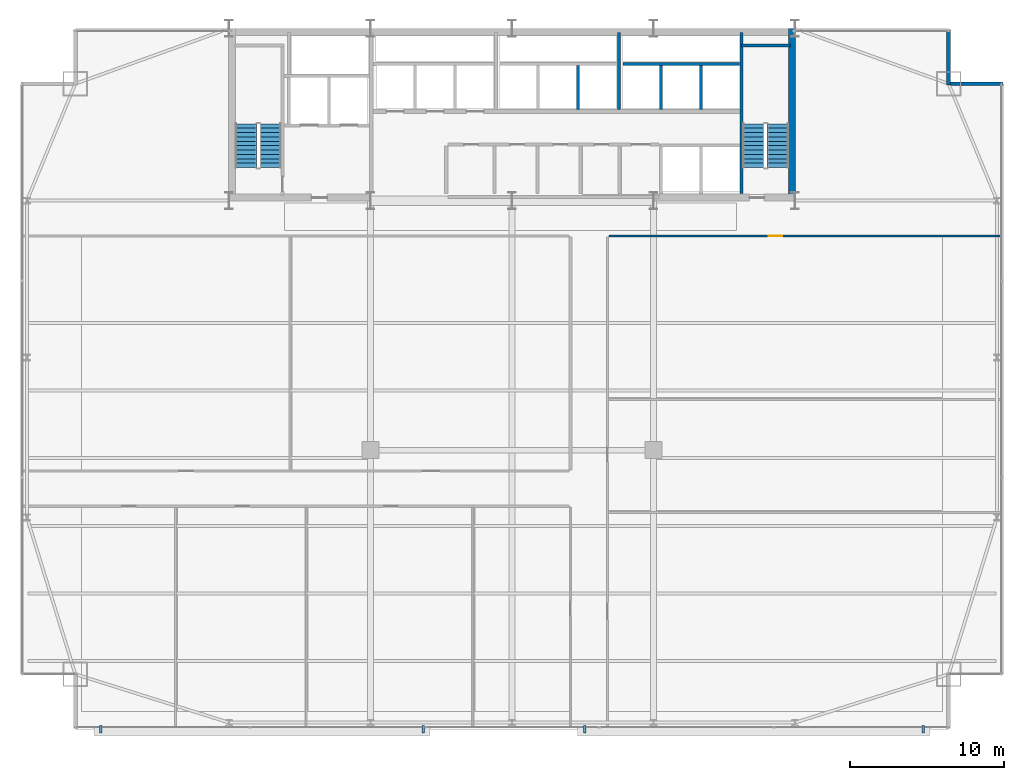
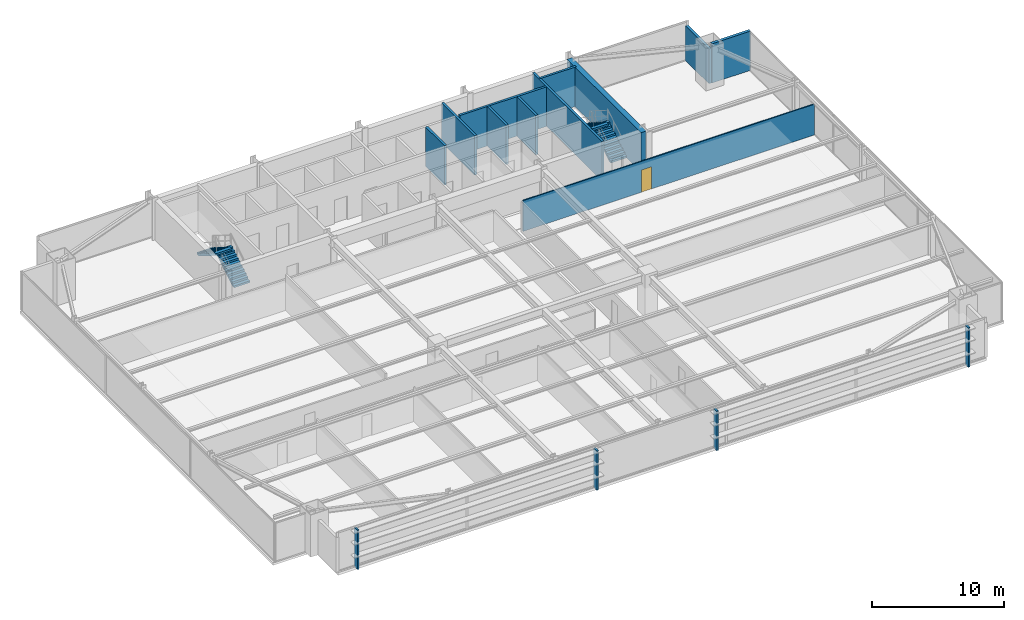
# One storey, part 28 of 30: 11 walls, 4 discrete accessories, 4 stair flights, 1 door, 1 opening, 2 elements without a shape of their own.
"""IFC4 building model written with IfcOpenShell, lengths in metres."""

from ifc_helpers import new_model, si_unit, direction, frame, frame_2d, origin, origin_2d, place, context, subcontext, project, spatial, polyline, rectangle, outline, extrude, source, transform, mapped, material, layer, layer_set, type_object, type_shapes, element, fill, aggregate, save


model = new_model("IFC4")

# Units and contexts
model_context = context("Model", 3, precision=1e-05, world=origin(), true_north=direction((0.0, 1.0)))
body_context = subcontext(model_context, "Body", "Model", "MODEL_VIEW")
ifc_project = project(units=[si_unit("LENGTHUNIT", "METRE"), si_unit("AREAUNIT", "SQUARE_METRE"), si_unit("VOLUMEUNIT", "CUBIC_METRE"), si_unit("PLANEANGLEUNIT", "RADIAN"), si_unit("MASSUNIT", "GRAM", prefix="KILO")], contexts=[model_context])

# Site, building, storey
site_placement = place(None, origin())
site = spatial("IfcSite", under=ifc_project, at=site_placement, CompositionType="ELEMENT")
building_placement = place(site_placement, origin())
building = spatial("IfcBuilding", under=site, at=building_placement, Name="Varnel Quay Broadcast Tower", CompositionType="ELEMENT")
storey_placement = place(building_placement, frame((0.0, 0.0, 62.699951171875)))
storey = spatial("IfcBuildingStorey", under=building, at=storey_placement, Name="L14", CompositionType="ELEMENT", Elevation=62.699951171875)

# Walls
ifc_material_1 = material(Name="Concrete CSA A23.3 C50/60", Category="concrete")
ifc_layer_1 = layer(ifc_material_1, 0.199951171875, Name="Concrete CSA A23.3 C50/60")
ifc_layer_set_1 = layer_set([ifc_layer_1], Name="Concrete CSA A23.3 C50/60")
wall_type_1 = type_object("IfcWallType", Name="Wall_CoreShaftShear200", PredefinedType="SHEAR", material=ifc_layer_set_1)
wall_1_placement = place(storey_placement, frame((48.919921875, 36.050048828125, 0.0), z_axis=(0.0, 0.0, 1.0), x_axis=(0.0, 1.0, 0.0)))
element("IfcWall", 1, at=wall_1_placement, inside=storey, type_object=wall_type_1, Name="L14 Stair 2 West Structural Wall", PredefinedType="SHEAR", context=body_context, shape_type="SweptSolid", body=[
    extrude(rectangle(XDim=10.5, YDim=0.199951171875, at=frame_2d((5.25, 0.0))), origin(), (0.0, 0.0, 1.0), 3.650146484375),
])
wall_2_placement = place(storey_placement, frame((48.919921875, 45.679931640625, 0.0), z_axis=(0.0, 0.0, 1.0), x_axis=(1.0, 0.0, 0.0)))
element("IfcWall", 2, at=wall_2_placement, inside=storey, type_object=wall_type_1, Name="L14 Stair 2 North Structural Wall", PredefinedType="SHEAR", context=body_context, shape_type="SweptSolid", body=[
    extrude(rectangle(XDim=3.18017578125, YDim=0.199951171875, at=frame_2d((1.590087890625, 0.0))), origin(), (0.0, 0.0, 1.0), 3.650146484375),
])
wall_3_placement = place(storey_placement, frame((38.300048828125, 41.530029296875, 0.0), z_axis=(0.0, 0.0, 1.0), x_axis=(0.0, 1.0, 0.0)))
element("IfcWall", 3, at=wall_3_placement, inside=storey, type_object=wall_type_1, Name="L14 Mid-Rise Lift Shaft Divider 3", PredefinedType="SHEAR", context=body_context, shape_type="SweptSolid", body=[
    extrude(rectangle(XDim=2.869873046875, YDim=0.199951171875, at=frame_2d((1.43505859375, 0.0))), origin(), (0.0, 0.0, 1.0), 3.650146484375),
])
wall_4_placement = place(storey_placement, frame((40.949951171875, 41.530029296875, 0.0), z_axis=(0.0, 0.0, 1.0), x_axis=(0.0, 1.0, 0.0)))
element("IfcWall", 4, at=wall_4_placement, inside=storey, type_object=wall_type_1, Name="L14 Mid-Rise Lift Shaft Divider 4", PredefinedType="SHEAR", context=body_context, shape_type="SweptSolid", body=[
    extrude(rectangle(XDim=5.02001953125, YDim=0.199951171875, at=frame_2d((2.510009765625, 0.0))), origin(), (0.0, 0.0, 1.0), 3.650146484375),
])
wall_5_placement = place(storey_placement, frame((41.219970703125, 44.5, 0.0), z_axis=(0.0, 0.0, 1.0), x_axis=(1.0, 0.0, 0.0)))
element("IfcWall", 5, at=wall_5_placement, inside=storey, type_object=wall_type_1, Name="L14 High-Rise Lift Shaft Rear Wall", PredefinedType="SHEAR", context=body_context, shape_type="SweptSolid", body=[
    extrude(rectangle(XDim=7.580078125, YDim=0.199951171875, at=frame_2d((3.7900390625, 0.0))), origin(), (0.0, 0.0, 1.0), 3.650146484375),
])
for number, where, z_axis, x_axis, name in (
    (6, (43.699951171875, 41.530029296875, 0.0), (0.0, 0.0, 1.0), (0.0, 1.0, 0.0), "L14 High-Rise Lift Shaft Divider 2"),
    (7, (46.300048828125, 41.530029296875, 0.0), (0.0, 0.0, 1.0), (0.0, 1.0, 0.0), "L14 High-Rise Lift Shaft Divider 3"),
):
    element("IfcWall", number, at=place(storey_placement, frame(where, z_axis=z_axis, x_axis=x_axis)), inside=storey, type_object=wall_type_1, Name=name, PredefinedType="SHEAR", context=body_context, shape_type="SweptSolid", body=[
        extrude(rectangle(XDim=2.869873046875, YDim=0.199951171875, at=frame_2d((1.43505859375, 0.0))), origin(), (0.0, 0.0, 1.0), 3.650146484375),
    ])
ifc_material_2 = material(Name="Concrete CSA A23.3 C60/75", Category="concrete")
ifc_layer_2 = layer(ifc_material_2, 0.449951171875, Name="Concrete CSA A23.3 C60/75")
ifc_layer_set_2 = layer_set([ifc_layer_2], Name="Concrete CSA A23.3 C60/75")
wall_type_2 = type_object("IfcWallType", Name="Wall_CoreShearInt450", PredefinedType="SHEAR", material=ifc_layer_set_2)
wall_6_placement = place(storey_placement, frame((52.205078125, 35.570068359375, 0.0), z_axis=(0.0, 0.0, 1.0), x_axis=(0.0, 1.0, 0.0)))
element("IfcWall", 8, at=wall_6_placement, inside=storey, type_object=wall_type_2, Name="L14 East Core Shear Wall", PredefinedType="SHEAR", context=body_context, shape_type="SweptSolid", body=[
    extrude(rectangle(XDim=11.22998046875, YDim=0.449951171875, at=frame_2d((5.614990234375, 0.0))), origin(), (0.0, 0.0, 1.0), 3.650146484375),
])
ifc_material_3 = material(Name="Precast Architectural Concrete C40/50", Category="concrete")
ifc_layer_3 = layer(ifc_material_3, 0.25, Name="Precast Architectural Concrete C40/50")
ifc_layer_set_3 = layer_set([ifc_layer_3], Name="Precast Architectural Concrete C40/50")
wall_type_3 = type_object("IfcWallType", Name="Wall_ExtTerrace250", PredefinedType="SOLIDWALL", material=ifc_layer_set_3)
wall_7_placement = place(storey_placement, frame((62.530029296875, 43.199951171875, 0.0), z_axis=(0.0, 0.0, 1.0), x_axis=(1.0, 0.0, 0.0)))
element("IfcWall", 9, at=wall_7_placement, inside=storey, type_object=wall_type_3, Name="L14 Mega-Column Notch Cladding Wall NNE1", PredefinedType="SOLIDWALL", context=body_context, shape_type="SweptSolid", body=[
    extrude(rectangle(XDim=3.389892578125, YDim=0.25, at=frame_2d((1.69482421875, 0.0))), origin(), (0.0, 0.0, 1.0), 3.630126953125),
])
wall_8_placement = place(storey_placement, frame((62.39990234375, 43.1201171875, 0.0), z_axis=(0.0, 0.0, 1.0), x_axis=(0.0, 1.0, 0.0)))
element("IfcWall", 10, at=wall_8_placement, inside=storey, type_object=wall_type_3, Name="L14 Mega-Column Notch Cladding Wall NNE2", PredefinedType="SOLIDWALL", context=body_context, shape_type="SweptSolid", body=[
    extrude(rectangle(XDim=3.599853515625, YDim=0.25, at=frame_2d((1.7998046875, 0.0))), origin(), (0.0, 0.0, 1.0), 3.2080078125),
])

# Wall, opening, door
ifc_material_4 = material(Name="Steel-Stud Fire-Rated Acoustic Gypsum Partition Assembly", Category="steel")
ifc_layer_4 = layer(ifc_material_4, 0.10498046875, Name="Steel-Stud Fire-Rated Acoustic Gypsum Partition Assembly")
ifc_layer_set_4 = layer_set([ifc_layer_4], Name="Steel-Stud Fire-Rated Acoustic Gypsum Partition Assembly")
wall_type_4 = type_object("IfcWallType", Name="Wall_Partition105", PredefinedType="PARTITIONING", material=ifc_layer_set_4)
wall_9_placement = place(storey_placement, frame((40.31005859375, 33.300048828125, 0.0), z_axis=(0.0, 0.0, 1.0), x_axis=(1.0, 0.0, 0.0)))
wall_9 = element("IfcWall", 11, at=wall_9_placement, inside=storey, type_object=wall_type_4, Name="L14 Media Tape Archive Store 9 Partition 20", PredefinedType="PARTITIONING", context=body_context, shape_type="SweptSolid", body=[
    extrude(rectangle(XDim=25.510009765625, YDim=0.10498046875, at=frame_2d((12.7548828125, 0.0))), origin(), (0.0, 0.0, 1.0), 2.85205078125),
])
opening_placement = place(wall_9_placement, frame((10.3798828125, 0.0, 0.0)))
opening = element("IfcOpeningElement", 12, at=opening_placement, cuts=wall_9, Name="Opening D-L14-14", PredefinedType="OPENING", context=body_context, shape_type="SweptSolid", body=[
    extrude(rectangle(XDim=0.8798828125, YDim=2.06005859375, at=frame_2d((0.43994140625, 1.030029296875))), frame((0.0, 0.0625, 0.0), z_axis=(0.0, -1.0, 0.0), x_axis=(1.0, 0.0, 0.0)), (0.0, 0.0, 1.0), 0.125),
])
ifc_material_5 = material(Name="Solid-Core Fire-Rated Acoustic Oak Veneer Door", Category="wood")
door_type = type_object("IfcDoorType", Name="Door_Booth880", OperationType="NOTDEFINED", PredefinedType="DOOR", material=ifc_material_5)
shared_shape_1 = source(origin(), body_context, "Body", "SweptSolid", [
    extrude(rectangle(XDim=0.8798828125, YDim=2.06005859375, at=frame_2d((0.43994140625, 1.030029296875))), frame((0.0, 0.02490234375, 0.0), z_axis=(0.0, -1.0, 0.0), x_axis=(1.0, 0.0, 0.0)), (0.0, 0.0, 1.0), 0.050048828125),
])
type_shapes(door_type, [shared_shape_1])
door_placement = place(opening_placement, frame((0.8798828125, 0.0, 0.0), z_axis=(0.0, 0.0, 1.0), x_axis=(-1.0, 0.0, 0.0)))
door = element("IfcDoor", 13, at=door_placement, inside=storey, type_object=door_type, Name="L14 Media Tape Archive Store 9 Door D-L14-14", OperationType="SINGLE_SWING_LEFT", OverallHeight=2.06005859375, OverallWidth=0.8798828125, PredefinedType="DOOR", context=body_context, shape_type="MappedRepresentation", body=[
    mapped(shared_shape_1, transform((0.0, 0.0, 0.0), x_axis=(1.0, 0.0, 0.0), y_axis=(0.0, 1.0, 0.0), z_axis=(0.0, 0.0, 1.0), scale=1.0)),
])
fill(opening, door)

# Stair, stair flights
ifc_material_6 = material(Name="Precast Structural Concrete C40/50", Category="concrete")
stair_type_1 = type_object("IfcStairType", Name="Stair_ST-01", PredefinedType="HALF_TURN_STAIR", material=ifc_material_6)
stair_1_placement = place(storey_placement, origin())
stair_1 = element("IfcStair", 14, at=stair_1_placement, inside=storey, type_object=stair_type_1, Name="L14 West Core Exit Stair 1", PredefinedType="HALF_TURN_STAIR")
stair_flight_type_1 = type_object("IfcStairFlightType", Name="Flight_ST-01", PredefinedType="STRAIGHT", material=ifc_material_6)
stair_flight_1_placement = place(storey_placement, frame((18.300048828125, 37.75, 0.0), z_axis=(0.0, 0.0, 1.0), x_axis=(0.0, 1.0, 0.0)))
stair_flight_1 = element("IfcStairFlight", 15, at=stair_flight_1_placement, type_object=stair_flight_type_1, Name="ST-01 flight 1", NumberOfRisers=11, NumberOfTreads=10, PredefinedType="STRAIGHT", RiserHeight=0.177272727, TreadLength=0.285, context=body_context, shape_type="SweptSolid", body=[
    extrude(outline(polyline([(0.0, 0.0), (0.0, 0.17724609375), (0.284912109375, 0.17724609375), (0.284912109375, 0.3544921875), (0.570068359375, 0.3544921875), (0.570068359375, 0.53173828125), (0.85498046875, 0.53173828125), (0.85498046875, 0.708984375), (1.139892578125, 0.708984375), (1.139892578125, 0.886474609375), (1.425048828125, 0.886474609375), (1.425048828125, 1.063720703125), (1.7099609375, 1.063720703125), (1.7099609375, 1.240966796875), (1.9951171875, 1.240966796875), (1.9951171875, 1.418212890625), (2.280029296875, 1.418212890625), (2.280029296875, 1.595458984375), (2.56494140625, 1.595458984375), (2.56494140625, 1.772705078125), (2.85009765625, 1.772705078125), (2.85009765625, 1.949951171875), (2.85009765625, 1.59619140625), (0.283935546875, 0.0), (0.0, 0.0)])), frame((0.0, 0.699951171875, 0.0), z_axis=(0.0, -1.0, 0.0), x_axis=(1.0, 0.0, 0.0)), (0.0, 0.0, 1.0), 1.39990234375),
])
stair_flight_2_placement = place(storey_placement, frame((16.699951171875, 40.60009765625, 1.949951171875), z_axis=(0.0, 0.0, 1.0), x_axis=(0.0, -1.0, 0.0)))
stair_flight_2 = element("IfcStairFlight", 16, at=stair_flight_2_placement, type_object=stair_flight_type_1, Name="ST-01 flight 2", NumberOfRisers=11, NumberOfTreads=10, PredefinedType="STRAIGHT", RiserHeight=0.177272727, TreadLength=0.285, context=body_context, shape_type="SweptSolid", body=[
    extrude(outline(polyline([(0.0, 0.0), (0.0, 0.17724609375), (0.284912109375, 0.17724609375), (0.284912109375, 0.3544921875), (0.570068359375, 0.3544921875), (0.570068359375, 0.53173828125), (0.85498046875, 0.53173828125), (0.85498046875, 0.708984375), (1.139892578125, 0.708984375), (1.139892578125, 0.886474609375), (1.425048828125, 0.886474609375), (1.425048828125, 1.063720703125), (1.7099609375, 1.063720703125), (1.7099609375, 1.240966796875), (1.9951171875, 1.240966796875), (1.9951171875, 1.418212890625), (2.280029296875, 1.418212890625), (2.280029296875, 1.595458984375), (2.56494140625, 1.595458984375), (2.56494140625, 1.772705078125), (2.85009765625, 1.772705078125), (2.85009765625, 1.949951171875), (2.85009765625, 1.59619140625), (0.283935546875, 0.0), (0.0, 0.0)])), frame((0.0, 0.699951171875, 0.0), z_axis=(0.0, -1.0, 0.0), x_axis=(1.0, 0.0, 0.0)), (0.0, 0.0, 1.0), 1.39990234375),
])
aggregate(stair_1, [stair_flight_1, stair_flight_2])

stair_type_2 = type_object("IfcStairType", Name="Stair_ST-02", PredefinedType="HALF_TURN_STAIR", material=ifc_material_6)
stair_2_placement = place(storey_placement, origin())
stair_2 = element("IfcStair", 17, at=stair_2_placement, inside=storey, type_object=stair_type_2, Name="L14 East Core Exit Stair 2", PredefinedType="HALF_TURN_STAIR")
stair_flight_type_2 = type_object("IfcStairFlightType", Name="Flight_ST-02", PredefinedType="STRAIGHT", material=ifc_material_6)
stair_flight_3_placement = place(storey_placement, frame((51.300048828125, 37.75, 0.0), z_axis=(0.0, 0.0, 1.0), x_axis=(0.0, 1.0, 0.0)))
stair_flight_3 = element("IfcStairFlight", 18, at=stair_flight_3_placement, type_object=stair_flight_type_2, Name="ST-02 flight 1", NumberOfRisers=11, NumberOfTreads=10, PredefinedType="STRAIGHT", RiserHeight=0.177272727, TreadLength=0.285, context=body_context, shape_type="SweptSolid", body=[
    extrude(outline(polyline([(0.0, 0.0), (0.0, 0.17724609375), (0.284912109375, 0.17724609375), (0.284912109375, 0.3544921875), (0.570068359375, 0.3544921875), (0.570068359375, 0.53173828125), (0.85498046875, 0.53173828125), (0.85498046875, 0.708984375), (1.139892578125, 0.708984375), (1.139892578125, 0.886474609375), (1.425048828125, 0.886474609375), (1.425048828125, 1.063720703125), (1.7099609375, 1.063720703125), (1.7099609375, 1.240966796875), (1.9951171875, 1.240966796875), (1.9951171875, 1.418212890625), (2.280029296875, 1.418212890625), (2.280029296875, 1.595458984375), (2.56494140625, 1.595458984375), (2.56494140625, 1.772705078125), (2.85009765625, 1.772705078125), (2.85009765625, 1.949951171875), (2.85009765625, 1.59619140625), (0.283935546875, 0.0), (0.0, 0.0)])), frame((0.0, 0.699951171875, 0.0), z_axis=(0.0, -1.0, 0.0), x_axis=(1.0, 0.0, 0.0)), (0.0, 0.0, 1.0), 1.39990234375),
])
stair_flight_4_placement = place(storey_placement, frame((49.699951171875, 40.60009765625, 1.949951171875), z_axis=(0.0, 0.0, 1.0), x_axis=(0.0, -1.0, 0.0)))
stair_flight_4 = element("IfcStairFlight", 19, at=stair_flight_4_placement, type_object=stair_flight_type_2, Name="ST-02 flight 2", NumberOfRisers=11, NumberOfTreads=10, PredefinedType="STRAIGHT", RiserHeight=0.177272727, TreadLength=0.285, context=body_context, shape_type="SweptSolid", body=[
    extrude(outline(polyline([(0.0, 0.0), (0.0, 0.17724609375), (0.284912109375, 0.17724609375), (0.284912109375, 0.3544921875), (0.570068359375, 0.3544921875), (0.570068359375, 0.53173828125), (0.85498046875, 0.53173828125), (0.85498046875, 0.708984375), (1.139892578125, 0.708984375), (1.139892578125, 0.886474609375), (1.425048828125, 0.886474609375), (1.425048828125, 1.063720703125), (1.7099609375, 1.063720703125), (1.7099609375, 1.240966796875), (1.9951171875, 1.240966796875), (1.9951171875, 1.418212890625), (2.280029296875, 1.418212890625), (2.280029296875, 1.595458984375), (2.56494140625, 1.595458984375), (2.56494140625, 1.772705078125), (2.85009765625, 1.772705078125), (2.85009765625, 1.949951171875), (2.85009765625, 1.59619140625), (0.283935546875, 0.0), (0.0, 0.0)])), frame((0.0, 0.699951171875, 0.0), z_axis=(0.0, -1.0, 0.0), x_axis=(1.0, 0.0, 0.0)), (0.0, 0.0, 1.0), 1.39990234375),
])
aggregate(stair_2, [stair_flight_3, stair_flight_4])

# Discrete accessories
ifc_material_7 = material(Name="Anodised Bronze Aluminium 6063-T6", Category="aluminium")
ifc_layer_5 = layer(ifc_material_7, 0.47998046875, Name="Anodised Bronze Aluminium 6063-T6")
ifc_layer_set_5 = layer_set([ifc_layer_5], Name="Anodised Bronze Aluminium 6063-T6")
discrete_accessory_type = type_object("IfcDiscreteAccessoryType", Name="Acc_FacadeBracket", PredefinedType="BRACKET", material=ifc_layer_set_5)
shared_shape_2 = source(origin(), body_context, "Body", "SweptSolid", [
    extrude(rectangle(XDim=0.159912109375, YDim=0.47998046875, at=origin_2d()), origin(), (0.0, 0.0, 1.0), 3.64990234375),
])
type_shapes(discrete_accessory_type, [shared_shape_2])
for number, where, z_axis, x_axis, name in (
    (20, (7.25, 1.219970703125, -0.14990234375), (0.0, 0.0, 1.0), (1.0, 0.0, 0.0), "L14 Lobe 1 Louvre Support Bracket 1"),
    (21, (28.220947265625, 1.219970703125, -0.14990234375), (0.0, 0.0, 1.0), (1.0, 0.0, 0.0), "L14 Lobe 1 Louvre Support Bracket 2"),
    (22, (38.720947265625, 1.219970703125, -0.14990234375), (0.0, 0.0, 1.0), (1.0, 0.0, 0.0), "L14 Lobe 2 Louvre Support Bracket 1"),
    (23, (60.75, 1.219970703125, -0.14990234375), (0.0, 0.0, 1.0), (1.0, 0.0, 0.0), "L14 Lobe 2 Louvre Support Bracket 2"),
):
    element("IfcDiscreteAccessory", number, at=place(storey_placement, frame(where, z_axis=z_axis, x_axis=x_axis)), inside=storey, type_object=discrete_accessory_type, Name=name, PredefinedType="BRACKET", context=body_context, shape_type="MappedRepresentation", body=[
        mapped(shared_shape_2, transform((0.0, 0.0, 0.0), x_axis=(1.0, 0.0, 0.0), y_axis=(0.0, 1.0, 0.0), z_axis=(0.0, 0.0, 1.0), scale=1.0)),
    ])

save(model, "model.ifc")
